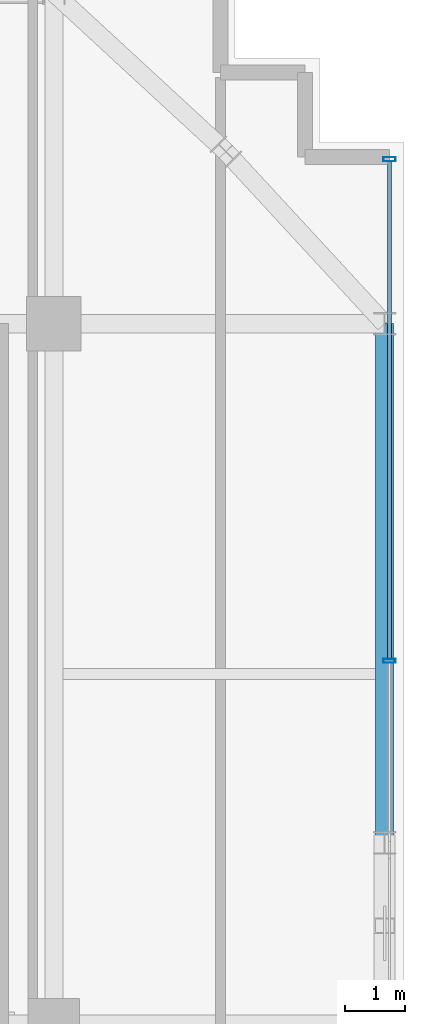
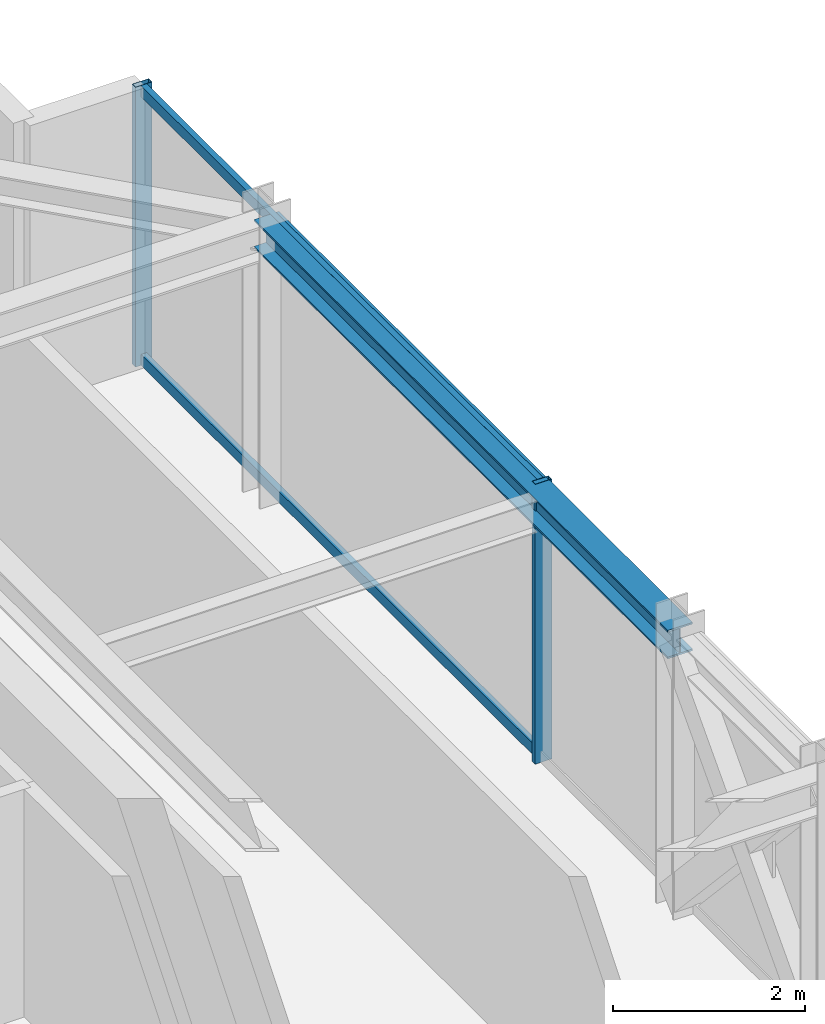
# One storey, part 31 of 40: 4 members, 1 beam, 1 element without a shape of its own.
"""IFC4 building model written with IfcOpenShell, lengths in metres."""

from ifc_helpers import new_model, si_unit, direction, frame, origin, origin_2d, place, context, subcontext, project, spatial, hollow_rectangle, i_section, extrude, source, transform, mapped, material, material_profile, profile_set, type_object, element, aggregate, save


model = new_model("IFC4")

# Units and contexts
model_context = context("Model", 3, precision=1e-05, world=origin(), true_north=direction((0.0, 1.0)))
body_context = subcontext(model_context, "Body", "Model", "MODEL_VIEW")
ifc_project = project(units=[si_unit("LENGTHUNIT", "METRE"), si_unit("AREAUNIT", "SQUARE_METRE"), si_unit("VOLUMEUNIT", "CUBIC_METRE"), si_unit("PLANEANGLEUNIT", "RADIAN"), si_unit("MASSUNIT", "GRAM", prefix="KILO")], contexts=[model_context])

# Site, building, storey
site_placement = place(None, origin())
site = spatial("IfcSite", under=ifc_project, at=site_placement, CompositionType="ELEMENT")
building_placement = place(site_placement, origin())
building = spatial("IfcBuilding", under=site, at=building_placement, Name="Nahalor Promenade Grand Hotel", CompositionType="ELEMENT")
storey_placement = place(building_placement, frame((0.0, 0.0, 288.800048828125)))
storey = spatial("IfcBuildingStorey", under=building, at=storey_placement, Name="L74", CompositionType="ELEMENT", Elevation=288.800048828125)

# Beam
ifc_material_1 = material(Name="Steel S355JR", Category="steel")
ifc_material_profile_1 = material_profile(ifc_material_1, i_section(OverallWidth=0.3, OverallDepth=0.36, WebThickness=0.0125, FlangeThickness=0.0225, at=origin_2d()), Name="HEB 360")
ifc_profile_set_1 = profile_set([ifc_material_profile_1], Name="Steel S355JR")
beam_type = type_object("IfcBeamType", Name="Beam-Spandrel-HEB360", PredefinedType="SPANDREL", material=ifc_profile_set_1)
shared_shape_1 = source(origin(), body_context, "Body", "SweptSolid", [
    extrude(i_section(OverallWidth=0.3, OverallDepth=0.36, WebThickness=0.0125, FlangeThickness=0.0225, at=origin_2d()), origin(), (0.0, 0.0, 1.0), 8.60009765625),
])
beam_placement = place(storey_placement, frame((22.47998046875, 8.39990234375, 3.369873046875), z_axis=(0.0, 1.0, 0.0), x_axis=(-1.0, 0.0, 0.0)))
element("IfcBeam", 1, at=beam_placement, inside=storey, type_object=beam_type, Name="BM-L74-SP-E-4", PredefinedType="SPANDREL", context=body_context, shape_type="MappedRepresentation", body=[
    mapped(shared_shape_1, transform((0.0, 0.0, 0.0), scale=1.0)),
])

# Curtain wall, members
ifc_material_2 = material(Name="Anodised Bronze Aluminium EN AW-6063 T6", Category="aluminium")
curtain_wall_type = type_object("IfcCurtainWallType", Name="CW3 Elliptical-Void Collar Unitised Curtain Wall", PredefinedType="USERDEFINED", material=ifc_material_2)
curtain_wall_placement = place(storey_placement, origin())
curtain_wall = element("IfcCurtainWall", 2, at=curtain_wall_placement, inside=storey, type_object=curtain_wall_type, Name="L74 Curtain Wall CW-L74-E-2", ObjectType="UNITISED_CURTAIN_WALL", PredefinedType="USERDEFINED")
ifc_material_profile_2 = material_profile(ifc_material_2, hollow_rectangle(XDim=0.07, YDim=0.2, WallThickness=0.005, at=origin_2d()), Name="CWM 70x200x5")
ifc_profile_set_2 = profile_set([ifc_material_profile_2], Name="Anodised Bronze Aluminium EN AW-6063 T6")
member_type_1 = type_object("IfcMemberType", Name="CWM3 Void Collar Mullion 70x200", PredefinedType="MULLION", material=ifc_profile_set_2)
shared_shape_2 = source(origin(), body_context, "Body", "SweptSolid", [
    extrude(hollow_rectangle(XDim=0.07, YDim=0.2, WallThickness=0.005, at=origin_2d()), origin(), (0.0, 0.0, 1.0), 3.550048828125),
])
member_1_placement = place(storey_placement, frame((22.56005859375, 11.41552734375, 0.0), z_axis=(0.0, 0.0, 1.0), x_axis=(0.0, 1.0, 0.0)))
member_1 = element("IfcMember", 3, at=member_1_placement, type_object=member_type_1, Name="CW-L74-E-2 Mullion 1", PredefinedType="MULLION", context=body_context, shape_type="MappedRepresentation", body=[
    mapped(shared_shape_2, transform((0.0, 0.0, 0.0), scale=1.0)),
])
member_2_placement = place(storey_placement, frame((22.56005859375, 19.72509765625, 0.0), z_axis=(0.0, 0.0, 1.0), x_axis=(0.0, 1.0, 0.0)))
member_2 = element("IfcMember", 4, at=member_2_placement, type_object=member_type_1, Name="CW-L74-E-2 Mullion 2", PredefinedType="MULLION", context=body_context, shape_type="MappedRepresentation", body=[
    mapped(shared_shape_2, transform((0.0, 0.0, 0.0), scale=1.0)),
])
ifc_material_profile_3 = material_profile(ifc_material_2, hollow_rectangle(XDim=0.07, YDim=0.14, WallThickness=0.004, at=origin_2d()), Name="CWT 70x140x4")
ifc_profile_set_3 = profile_set([ifc_material_profile_3], Name="Anodised Bronze Aluminium EN AW-6063 T6")
member_type_2 = type_object("IfcMemberType", Name="CWT3 Void Collar Transom 70x140", PredefinedType="USERDEFINED", material=ifc_profile_set_3)
shared_shape_3 = source(origin(), body_context, "Body", "SweptSolid", [
    extrude(hollow_rectangle(XDim=0.07, YDim=0.14, WallThickness=0.004, at=origin_2d()), origin(), (0.0, 0.0, 1.0), 8.239501953125),
])
member_3_placement = place(storey_placement, frame((22.56005859375, 11.450439453125, 0.070068359375), z_axis=(0.0, 1.0, 0.0), x_axis=(-1.0, 0.0, 0.0)))
member_3 = element("IfcMember", 5, at=member_3_placement, type_object=member_type_2, Name="CW-L74-E-2 Transom 1-0", ObjectType="TRANSOM", PredefinedType="USERDEFINED", context=body_context, shape_type="MappedRepresentation", body=[
    mapped(shared_shape_3, transform((0.0, 0.0, 0.0), scale=1.0)),
])
member_4_placement = place(storey_placement, frame((22.56005859375, 11.450439453125, 3.47998046875), z_axis=(0.0, 1.0, 0.0), x_axis=(-1.0, 0.0, 0.0)))
member_4 = element("IfcMember", 6, at=member_4_placement, type_object=member_type_2, Name="CW-L74-E-2 Transom 1-1", ObjectType="TRANSOM", PredefinedType="USERDEFINED", context=body_context, shape_type="MappedRepresentation", body=[
    mapped(shared_shape_3, transform((0.0, 0.0, 0.0), scale=1.0)),
])
aggregate(curtain_wall, [member_1, member_2, member_3, member_4])

save(model, "model.ifc")
